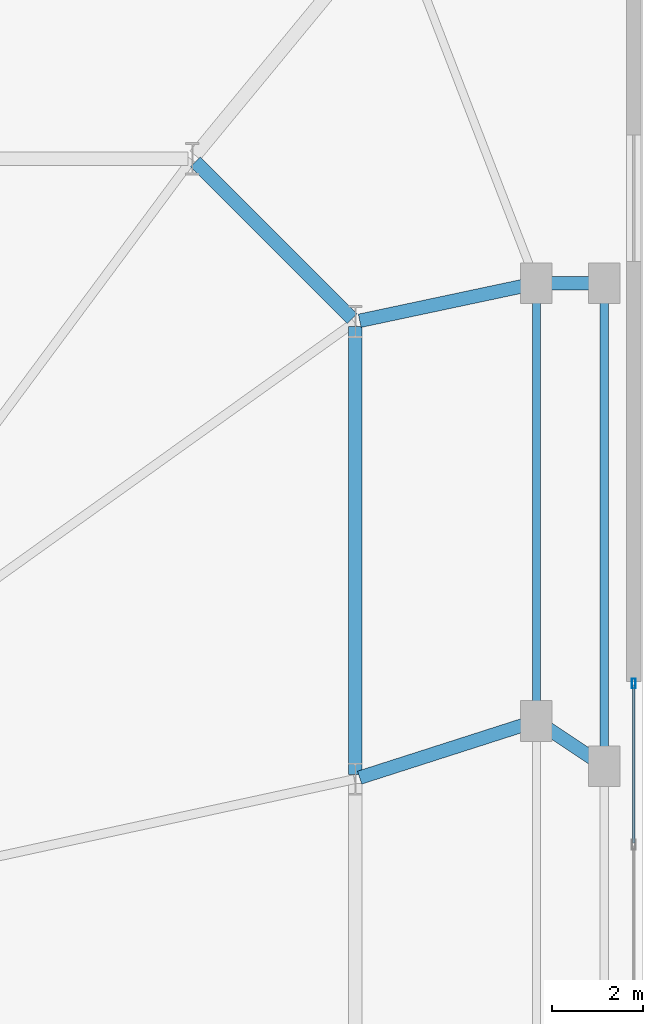
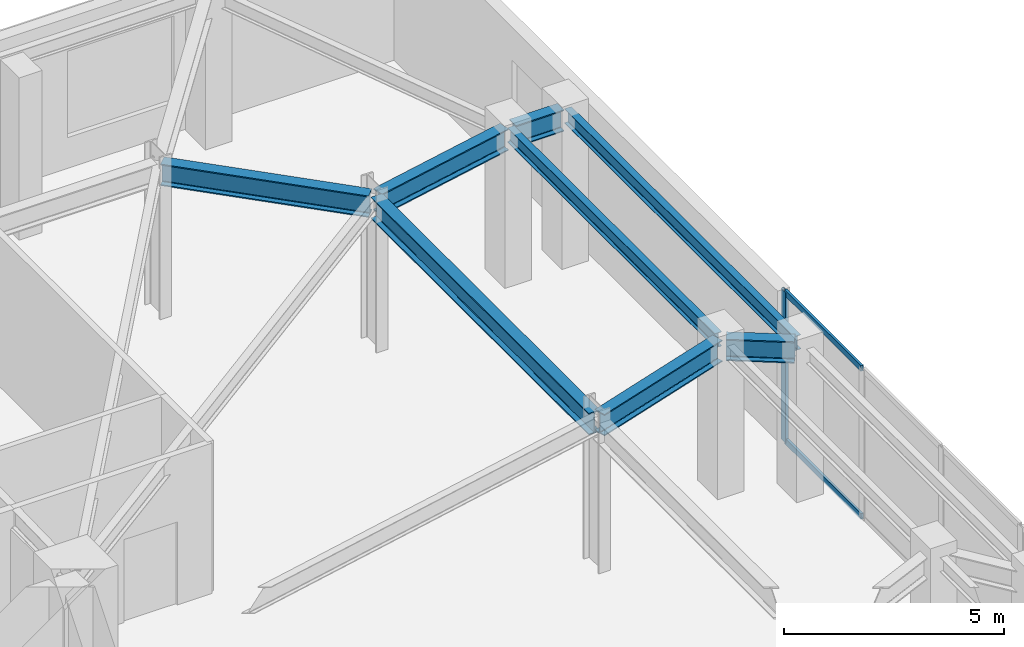
# One storey, part 12 of 21: 8 beams, 3 members, 1 element without a shape of its own.
"""IFC4 building model written with IfcOpenShell, lengths in metres."""

import ifcopenshell
import ifcopenshell.guid

model = None  # the IFC model being written
_history = None  # IfcOwnerHistory: only IFC2X3 demands one
_inside = {}  # id of a spatial element -> (the spatial element, [elements in it])
_under = {}  # id of a project, library or spatial element -> (it, [spatial elements below it])
_declared = {}  # id of a project -> (the project, [libraries it declares])
_typed = {}  # id of a type object -> (the type object, [elements of that type])
_made_of = {}  # id of a material, layer set ... -> (it, [elements and type objects made of it])


def new_model(schema):
    """Start an empty IFC model of exactly this schema.

    Asked for "IFC4X3", IfcOpenShell would pick the latest addendum, in which some entities
    have other attributes; the version numbers below select the first issue.
    IFC2X3 requires an IfcOwnerHistory on every rooted entity: one is made here for all.
    """
    global model, _history
    if schema == "IFC4X3":
        model = ifcopenshell.file(schema_version=(4, 3, 0, 0))
    else:
        model = ifcopenshell.file(schema=schema)
    _inside.clear()
    _under.clear()
    _declared.clear()
    _typed.clear()
    _made_of.clear()
    _history = None
    if model.schema == "IFC2X3":
        org = make("IfcOrganization", Name="unknown")
        user = make(
            "IfcPersonAndOrganization",
            ThePerson=make("IfcPerson", FamilyName="unknown"),
            TheOrganization=org,
        )
        app = make(
            "IfcApplication",
            ApplicationDeveloper=org,
            Version="unknown",
            ApplicationFullName="unknown",
            ApplicationIdentifier="unknown",
        )
        _history = make(
            "IfcOwnerHistory",
            OwningUser=user,
            OwningApplication=app,
            ChangeAction="ADDED",
            CreationDate=0,
        )
    return model


def make(cls, **values):
    """One entity of the class cls with the attributes given. An attribute that is None is left unset."""
    return model.create_entity(
        cls, **{name: value for name, value in values.items() if value is not None}
    )


def rooted(cls, **values):
    """An entity with a GlobalId (a new one), such as an element, a storey or a relation."""
    return make(cls, GlobalId=ifcopenshell.guid.new(), OwnerHistory=_history, **values)


def si_unit(unit_type, name, prefix=None):
    """IfcSIUnit, for example si_unit("LENGTHUNIT", "METRE", prefix="MILLI")."""
    return make("IfcSIUnit", UnitType=unit_type, Prefix=prefix, Name=name)


def assignment(units):
    """IfcUnitAssignment: the units of a project."""
    return None if units is None else make("IfcUnitAssignment", Units=units)


def point(xyz):
    """IfcCartesianPoint."""
    return None if xyz is None else make("IfcCartesianPoint", Coordinates=xyz)


def direction(xyz):
    """IfcDirection."""
    return None if xyz is None else make("IfcDirection", DirectionRatios=xyz)


def frame(location, z_axis=None, x_axis=None):
    """IfcAxis2Placement3D, a coordinate frame: its origin and axes. An axis left out is left unset."""
    return make(
        "IfcAxis2Placement3D",
        Location=point(location),
        Axis=direction(z_axis),
        RefDirection=direction(x_axis),
    )


def frame_2d(location, x_axis=None):
    """IfcAxis2Placement2D, a coordinate frame in the plane: its origin and x axis."""
    return make(
        "IfcAxis2Placement2D", Location=point(location), RefDirection=direction(x_axis)
    )


def origin():
    """The frame at (0, 0, 0) with its axes left unset."""
    return frame((0.0, 0.0, 0.0))


def origin_2d():
    """The frame at (0, 0) in the plane with its x axis left unset."""
    return frame_2d((0.0, 0.0))


def place(relative_to, where):
    """IfcLocalPlacement: puts the frame where relative to a parent placement (None: the world)."""
    return make(
        "IfcLocalPlacement", PlacementRelTo=relative_to, RelativePlacement=where
    )


def context(
    kind, dimensions, precision=None, world=None, true_north=None, identifier=None
):
    """IfcGeometricRepresentationContext, for example the 3D "Model" context."""
    return make(
        "IfcGeometricRepresentationContext",
        ContextIdentifier=identifier,
        ContextType=kind,
        CoordinateSpaceDimension=dimensions,
        Precision=precision,
        WorldCoordinateSystem=world,
        TrueNorth=true_north,
    )


def subcontext(parent, identifier, kind, view, scale=None):
    """IfcGeometricRepresentationSubContext, for example "Body" below "Model"."""
    return make(
        "IfcGeometricRepresentationSubContext",
        ContextIdentifier=identifier,
        ContextType=kind,
        ParentContext=parent,
        TargetScale=scale,
        TargetView=view,
    )


def project(units=None, contexts=None):
    """IfcProject with its units and contexts."""
    return rooted(
        "IfcProject",
        Name="project",
        RepresentationContexts=contexts,
        UnitsInContext=assignment(units),
    )


def spatial(cls, under=None, at=None, **own):
    """A site, building, storey or space (cls), placed at a placement, below another one or the project."""
    s = rooted(cls, ObjectPlacement=at, **own)
    if under is not None:
        _under.setdefault(under.id(), (under, []))[1].append(s)
    return s


def profile(cls, at=None, kind="AREA", **sizes):
    """A parametric profile (cls). Its sizes go by their IFC names, for example OverallWidth=200.0."""
    return make(cls, ProfileType=kind, Position=at, **sizes)


def hollow_rectangle(**sizes):
    """IfcRectangleHollowProfileDef."""
    return profile("IfcRectangleHollowProfileDef", **sizes)


def i_section(**sizes):
    """IfcIShapeProfileDef."""
    return profile("IfcIShapeProfileDef", **sizes)


def extrude(swept, where, along, depth):
    """IfcExtrudedAreaSolid: the profile swept, set in the frame where, extruded along a direction by depth."""
    return make(
        "IfcExtrudedAreaSolid",
        SweptArea=swept,
        Position=where,
        ExtrudedDirection=direction(along),
        Depth=depth,
    )


def shape(context_of_items, identifier, shape_type, items):
    """IfcShapeRepresentation: the items that make up one representation, for example the "Body"."""
    return make(
        "IfcShapeRepresentation",
        ContextOfItems=context_of_items,
        RepresentationIdentifier=identifier,
        RepresentationType=shape_type,
        Items=items,
    )


def material(Name=None, Category=None):
    """IfcMaterial."""
    return make("IfcMaterial", Name=Name, Category=Category)


def layer(
    of_material, thickness, ventilated=None, Name=None, Category=None, Priority=None
):
    """IfcMaterialLayer: one layer of a wall or slab, of a material (None: an air gap)."""
    return make(
        "IfcMaterialLayer",
        Material=of_material,
        LayerThickness=thickness,
        IsVentilated=ventilated,
        Name=Name,
        Category=Category,
        Priority=Priority,
    )


def layer_set(layers, Name=None):
    """IfcMaterialLayerSet."""
    return make("IfcMaterialLayerSet", MaterialLayers=layers, LayerSetName=Name)


def material_profile(
    of_material, cross_section, Name=None, Category=None, Priority=None
):
    """IfcMaterialProfile: a cross section and its material."""
    return make(
        "IfcMaterialProfile",
        Name=Name,
        Material=of_material,
        Profile=cross_section,
        Priority=Priority,
        Category=Category,
    )


def profile_set(profiles, Name=None, composite=None):
    """IfcMaterialProfileSet."""
    return make(
        "IfcMaterialProfileSet",
        Name=Name,
        MaterialProfiles=profiles,
        CompositeProfile=composite,
    )


def made_of(thing, what):
    """Note that an element or type object is made of a material, layer set ...; save() writes the relation."""
    if what is not None:
        _made_of.setdefault(what.id(), (what, []))[1].append(thing)
    return thing


def type_object(cls, material=None, **own):
    """A type object (cls), such as IfcWallType, which elements share."""
    return made_of(rooted(cls, **own), material)


def element(
    cls,
    number,
    at=None,
    inside=None,
    cuts=None,
    type_object=None,
    material=None,
    context=None,
    identifier="Body",
    shape_type=None,
    held_by="IfcProductDefinitionShape",
    body=None,
    shapes=None,
    **own,
):
    """One element of the class cls, such as IfcWall. Its Tag is "e" and its number.

    at: its placement. inside: the storey or other place that contains it. cuts: it is an
    opening in that element (IfcRelVoidsElement). A single representation is given by context,
    identifier, shape_type and body (its items); several are given by shapes. held_by: the class
    of the entity that holds the representations. save() writes the other relations.
    """
    e = rooted(cls, Tag="e%d" % number, ObjectPlacement=at, **own)
    if body is not None:
        shapes = [shape(context, identifier, shape_type, body)]
    if shapes is not None:
        e.Representation = make(held_by, Representations=shapes)
    if inside is not None:
        _inside.setdefault(inside.id(), (inside, []))[1].append(e)
    if cuts is not None:
        rooted(
            "IfcRelVoidsElement", RelatingBuildingElement=cuts, RelatedOpeningElement=e
        )
    if type_object is not None:
        _typed.setdefault(type_object.id(), (type_object, []))[1].append(e)
    return made_of(e, material)


def aggregate(whole, parts):
    """IfcRelAggregates: a whole, such as a stair, and the parts it consists of."""
    return rooted("IfcRelAggregates", RelatingObject=whole, RelatedObjects=parts)


def save(model, path):
    """Write the relations noted so far, then the file.

    IfcRelAggregates (storeys below a building ...), IfcRelContainedInSpatialStructure (elements
    in a storey), IfcRelDefinesByType, IfcRelAssociatesMaterial and IfcRelDeclares: one each for
    every whole, place, type object, material and project.
    """
    for whole, parts in _under.values():
        aggregate(whole, parts)
    for where, things in _inside.values():
        rooted(
            "IfcRelContainedInSpatialStructure",
            RelatedElements=things,
            RelatingStructure=where,
        )
    for kind, things in _typed.values():
        rooted("IfcRelDefinesByType", RelatedObjects=things, RelatingType=kind)
    for what, things in _made_of.values():
        rooted("IfcRelAssociatesMaterial", RelatedObjects=things, RelatingMaterial=what)
    for by, libraries in _declared.values():
        rooted("IfcRelDeclares", RelatingContext=by, RelatedDefinitions=libraries)
    model.write(path)


model = new_model("IFC4")

# Units and contexts
model_context = context("Model", 3, precision=1e-05, world=origin(), true_north=direction((0.0, 1.0)))
body_context = subcontext(model_context, "Body", "Model", "MODEL_VIEW")
ifc_project = project(units=[si_unit("LENGTHUNIT", "METRE"), si_unit("AREAUNIT", "SQUARE_METRE"), si_unit("VOLUMEUNIT", "CUBIC_METRE"), si_unit("PLANEANGLEUNIT", "RADIAN"), si_unit("MASSUNIT", "GRAM", prefix="KILO")], contexts=[model_context])

# Site, building, storey
site_placement = place(None, origin())
site = spatial("IfcSite", under=ifc_project, at=site_placement, CompositionType="ELEMENT")
building_placement = place(site_placement, origin())
building = spatial("IfcBuilding", under=site, at=building_placement, Name="Qobustan Lattice House", CompositionType="ELEMENT")
storey_placement = place(building_placement, frame((0.0, 0.0, 4.5)))
storey = spatial("IfcBuildingStorey", under=building, at=storey_placement, Name="L01", CompositionType="ELEMENT", Elevation=4.5)

# Beams
ifc_material_1 = material(Name="Steel S355", Category="steel")
ifc_material_profile_1 = material_profile(ifc_material_1, i_section(OverallWidth=0.300048828125, OverallDepth=0.60009765625, WebThickness=0.015380859375, FlangeThickness=0.030029296875, FilletRadius=0.027099609375, at=origin_2d()), Name="HEB600")
ifc_profile_set_1 = profile_set([ifc_material_profile_1], Name="Steel S355")
beam_type_1 = type_object("IfcBeamType", Name="BM-POD-HEB600", PredefinedType="USERDEFINED", material=ifc_profile_set_1)
beam_1_placement = place(storey_placement, frame((37.55029296875, 5.39990234375, 3.8701171875), z_axis=(-0.832074324237, 0.554664149684, 0.0), x_axis=(-0.554664149684, -0.832074324237, 0.0)))
element("IfcBeam", 1, at=beam_1_placement, inside=storey, type_object=beam_type_1, Name="L01 setback tie girder PEL3", ObjectType="GIRDER", PredefinedType="USERDEFINED", context=body_context, shape_type="SweptSolid", body=[
    extrude(i_section(OverallWidth=0.300048828125, OverallDepth=0.60009765625, WebThickness=0.015380859375, FlangeThickness=0.030029296875, FilletRadius=0.027099609375, at=origin_2d()), origin(), (0.0, 0.0, 1.0), 1.56298828125),
])
beam_2_placement = place(storey_placement, frame((37.530029296875, 16.0, 3.8701171875), z_axis=(-1.0, 0.0, 0.0), x_axis=(0.0, -1.0, 0.0)))
element("IfcBeam", 2, at=beam_2_placement, inside=storey, type_object=beam_type_1, Name="L01 setback tie girder PEL4", ObjectType="GIRDER", PredefinedType="USERDEFINED", context=body_context, shape_type="SweptSolid", body=[
    extrude(i_section(OverallWidth=0.300048828125, OverallDepth=0.60009765625, WebThickness=0.015380859375, FlangeThickness=0.030029296875, FilletRadius=0.027099609375, at=origin_2d()), origin(), (0.0, 0.0, 1.0), 1.260009765625),
])
beam_3_placement = place(storey_placement, frame((32.14990234375, 5.14990234375, 3.8701171875), z_axis=(0.0, 1.0, 0.0), x_axis=(-1.0, 0.0, 0.0)))
element("IfcBeam", 3, at=beam_3_placement, inside=storey, type_object=beam_type_1, Name="L01 tower base ring girder E3-E4", ObjectType="GIRDER", PredefinedType="USERDEFINED", context=body_context, shape_type="SweptSolid", body=[
    extrude(i_section(OverallWidth=0.300048828125, OverallDepth=0.60009765625, WebThickness=0.015380859375, FlangeThickness=0.030029296875, FilletRadius=0.027099609375, at=origin_2d()), origin(), (0.0, 0.0, 1.0), 9.900146484375),
])
beam_4_placement = place(storey_placement, frame((32.079345703125, 15.220703125, 3.8701171875), z_axis=(-0.70713173775, 0.707081823743, 0.0), x_axis=(-0.707081823743, -0.70713173775, 0.0)))
element("IfcBeam", 4, at=beam_4_placement, inside=storey, type_object=beam_type_1, Name="L01 tower base ring girder E4-N1", ObjectType="GIRDER", PredefinedType="USERDEFINED", context=body_context, shape_type="SweptSolid", body=[
    extrude(i_section(OverallWidth=0.300048828125, OverallDepth=0.60009765625, WebThickness=0.015380859375, FlangeThickness=0.030029296875, FilletRadius=0.027099609375, at=origin_2d()), origin(), (0.0, 0.0, 1.0), 4.89111328125),
])
beam_5_placement = place(storey_placement, frame((36.03564453125, 6.296630859375, 3.8701171875), z_axis=(-0.952198151545, -0.305481063561, 0.0), x_axis=(0.305481063561, -0.952198151545, 0.0)))
element("IfcBeam", 5, at=beam_5_placement, inside=storey, type_object=beam_type_1, Name="L01 podium radial girder PE3", ObjectType="GIRDER", PredefinedType="USERDEFINED", context=body_context, shape_type="SweptSolid", body=[
    extrude(i_section(OverallWidth=0.300048828125, OverallDepth=0.60009765625, WebThickness=0.015380859375, FlangeThickness=0.030029296875, FilletRadius=0.027099609375, at=origin_2d()), origin(), (0.0, 0.0, 1.0), 3.980712890625),
])
beam_6_placement = place(storey_placement, frame((36.03271484375, 15.97509765625, 3.8701171875), z_axis=(-0.978163821655, -0.207835362738, 0.0), x_axis=(0.207835362738, -0.978163821655, 0.0)))
element("IfcBeam", 6, at=beam_6_placement, inside=storey, type_object=beam_type_1, Name="L01 podium radial girder PE4", ObjectType="GIRDER", PredefinedType="USERDEFINED", context=body_context, shape_type="SweptSolid", body=[
    extrude(i_section(OverallWidth=0.300048828125, OverallDepth=0.60009765625, WebThickness=0.015380859375, FlangeThickness=0.030029296875, FilletRadius=0.027099609375, at=origin_2d()), origin(), (0.0, 0.0, 1.0), 3.869384765625),
])
ifc_material_2 = material(Name="Steel S355", Category="steel")
ifc_material_profile_2 = material_profile(ifc_material_2, i_section(OverallWidth=0.179931640625, OverallDepth=0.39990234375, WebThickness=0.008544921875, FlangeThickness=0.013427734375, FilletRadius=0.02099609375, at=origin_2d()), Name="IPE400")
ifc_profile_set_2 = profile_set([ifc_material_profile_2], Name="Steel S355")
beam_type_2 = type_object("IfcBeamType", Name="BM-SPD-IPE400", PredefinedType="SPANDREL", material=ifc_profile_set_2)
beam_7_placement = place(storey_placement, frame((36.14990234375, 6.453369140625, 3.969970703125), z_axis=(0.0, 1.0, 0.0), x_axis=(-1.0, 0.0, 0.0)))
element("IfcBeam", 7, at=beam_7_placement, inside=storey, type_object=beam_type_2, Name="L01 podium spandrel PE3-PE4", PredefinedType="SPANDREL", context=body_context, shape_type="SweptSolid", body=[
    extrude(i_section(OverallWidth=0.179931640625, OverallDepth=0.39990234375, WebThickness=0.008544921875, FlangeThickness=0.013427734375, FilletRadius=0.02099609375, at=origin_2d()), origin(), (0.0, 0.0, 1.0), 9.4267578125),
])
beam_8_placement = place(storey_placement, frame((37.64990234375, 5.453369140625, 3.969970703125), z_axis=(0.0, 1.0, 0.0), x_axis=(-1.0, 0.0, 0.0)))
element("IfcBeam", 8, at=beam_8_placement, inside=storey, type_object=beam_type_2, Name="L01 lower podium spandrel PEL3-PEL4", PredefinedType="SPANDREL", context=body_context, shape_type="SweptSolid", body=[
    extrude(i_section(OverallWidth=0.179931640625, OverallDepth=0.39990234375, WebThickness=0.008544921875, FlangeThickness=0.013427734375, FilletRadius=0.02099609375, at=origin_2d()), origin(), (0.0, 0.0, 1.0), 10.4267578125),
])

# Curtain wall, members
ifc_material_3 = material(Name="Anodised aluminium and low-E glazing", Category="aluminium")
ifc_layer = layer(ifc_material_3, 0.219970703125)
ifc_layer_set = layer_set([ifc_layer], Name="Anodised aluminium and low-E glazing")
curtain_wall_type = type_object("IfcCurtainWallType", Name="CW-POD-01", PredefinedType="USERDEFINED", material=ifc_layer_set)
curtain_wall_placement = place(storey_placement, origin())
curtain_wall = element("IfcCurtainWall", 9, at=curtain_wall_placement, inside=storey, type_object=curtain_wall_type, Name="L01 E podium colonnade curtain wall", ObjectType="CURTAIN WALL", PredefinedType="USERDEFINED")
ifc_material_4 = material(Name="Anodised aluminium EN AW-6063 T6", Category="aluminium")
ifc_material_profile_3 = material_profile(ifc_material_4, hollow_rectangle(XDim=0.080078125, YDim=0.219970703125, WallThickness=0.0048828125, at=origin_2d()), Name="CWM-220x80")
ifc_profile_set_3 = profile_set([ifc_material_profile_3], Name="Anodised aluminium EN AW-6063 T6")
member_type_1 = type_object("IfcMemberType", Name="CWM-MAIN-220", PredefinedType="MULLION", material=ifc_profile_set_3)
member_1_placement = place(storey_placement, frame((38.300048828125, 7.159912109375, 0.0), z_axis=(0.0, 0.0, 1.0), x_axis=(1.0, 0.0, 0.0)))
member_1 = element("IfcMember", 10, at=member_1_placement, type_object=member_type_1, Name="CW-P1 mullion 1", PredefinedType="MULLION", context=body_context, shape_type="SweptSolid", body=[
    extrude(hollow_rectangle(XDim=0.080078125, YDim=0.219970703125, WallThickness=0.0048828125, at=origin_2d()), origin(), (0.0, 0.0, 1.0), 4.169921875),
])
ifc_material_5 = material(Name="Anodised aluminium EN AW-6063 T6", Category="aluminium")
ifc_material_profile_4 = material_profile(ifc_material_5, hollow_rectangle(XDim=0.06494140625, YDim=0.159912109375, WallThickness=0.00390625, at=origin_2d()), Name="CWT-160x65")
ifc_profile_set_4 = profile_set([ifc_material_profile_4], Name="Anodised aluminium EN AW-6063 T6")
member_type_2 = type_object("IfcMemberType", Name="CWT-HOR-160", PredefinedType="USERDEFINED", material=ifc_profile_set_4)
member_2_placement = place(storey_placement, frame((38.300048828125, 7.1201171875, 0.032470703125), z_axis=(0.0, -1.0, 0.0), x_axis=(1.0, 0.0, 0.0)))
member_2 = element("IfcMember", 11, at=member_2_placement, type_object=member_type_2, Name="CW-P1 transom 1.1", ObjectType="TRANSOM", PredefinedType="USERDEFINED", context=body_context, shape_type="SweptSolid", body=[
    extrude(hollow_rectangle(XDim=0.06494140625, YDim=0.159912109375, WallThickness=0.00390625, at=origin_2d()), origin(), (0.0, 0.0, 1.0), 3.480224609375),
])
member_3_placement = place(storey_placement, frame((38.300048828125, 7.1201171875, 4.137451171875), z_axis=(0.0, -1.0, 0.0), x_axis=(1.0, 0.0, 0.0)))
member_3 = element("IfcMember", 12, at=member_3_placement, type_object=member_type_2, Name="CW-P1 transom 1.2", ObjectType="TRANSOM", PredefinedType="USERDEFINED", context=body_context, shape_type="SweptSolid", body=[
    extrude(hollow_rectangle(XDim=0.06494140625, YDim=0.159912109375, WallThickness=0.00390625, at=origin_2d()), origin(), (0.0, 0.0, 1.0), 3.480224609375),
])
aggregate(curtain_wall, [member_1, member_2, member_3])

save(model, "model.ifc")
